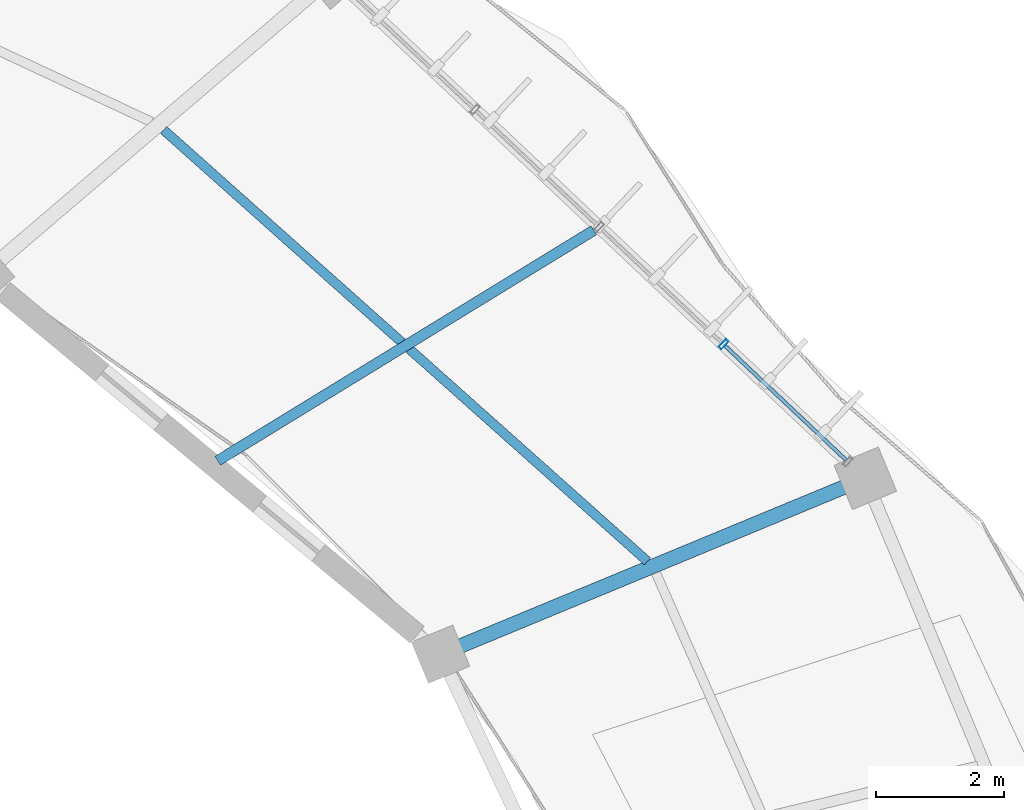
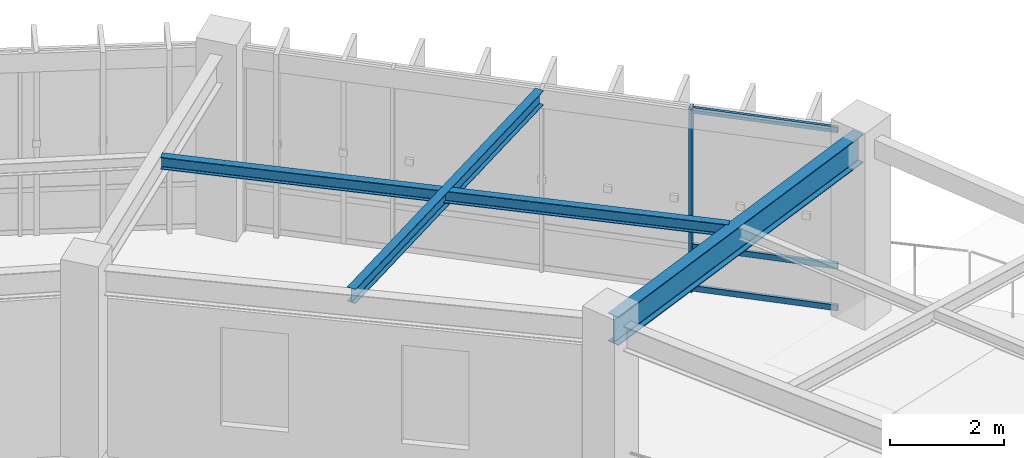
# One storey, part 106 of 152: 4 members, 3 beams, 1 element without a shape of its own.
"""IFC4 building model written with IfcOpenShell, lengths in metres."""

from ifc_helpers import new_model, si_unit, direction, frame, origin, origin_2d, place, context, subcontext, project, spatial, hollow_rectangle, i_section, extrude, material, material_profile, profile_set, type_object, element, aggregate, save


model = new_model("IFC4")

# Units and contexts
model_context = context("Model", 3, precision=1e-05, world=origin(), true_north=direction((0.0, 1.0)))
body_context = subcontext(model_context, "Body", "Model", "MODEL_VIEW")
ifc_project = project(units=[si_unit("LENGTHUNIT", "METRE"), si_unit("AREAUNIT", "SQUARE_METRE"), si_unit("VOLUMEUNIT", "CUBIC_METRE"), si_unit("PLANEANGLEUNIT", "RADIAN"), si_unit("MASSUNIT", "GRAM", prefix="KILO"), si_unit("THERMODYNAMICTEMPERATUREUNIT", "KELVIN"), si_unit("POWERUNIT", "WATT")], contexts=[model_context])

# Site, building, storey
site_placement = place(None, origin())
site = spatial("IfcSite", under=ifc_project, at=site_placement, CompositionType="ELEMENT")
building_placement = place(site_placement, origin())
building = spatial("IfcBuilding", under=site, at=building_placement, Name="Darbajah Civic Hall", CompositionType="ELEMENT")
storey_placement = place(building_placement, frame((0.0, 0.0, 5.39990234375)))
storey = spatial("IfcBuildingStorey", under=building, at=storey_placement, Name="L01", CompositionType="ELEMENT", Elevation=5.39990234375)

# Curtain wall, members
ifc_material_1 = material(Name="Anodised Bronze Aluminium and Low-E Glazing", Category="aluminium")
curtain_wall_type = type_object("IfcCurtainWallType", Name="Unitised Curtain Wall CW-19 10700x3900", PredefinedType="USERDEFINED", material=ifc_material_1)
curtain_wall_placement = place(storey_placement, origin())
curtain_wall = element("IfcCurtainWall", 1, at=curtain_wall_placement, inside=storey, type_object=curtain_wall_type, Name="L01 unitised curtain wall CW-V1O-L01-01", ObjectType="UNITISED CURTAIN WALL", PredefinedType="USERDEFINED")
ifc_material_2 = material(Name="Anodised Bronze Aluminium", Category="aluminium")
ifc_material_profile_1 = material_profile(ifc_material_2, hollow_rectangle(XDim=0.06005859375, YDim=0.159912109375, WallThickness=0.00341796875, at=origin_2d()), Name="ALU MULLION 60x160")
ifc_profile_set_1 = profile_set([ifc_material_profile_1], Name="Anodised Bronze Aluminium")
member_type_1 = type_object("IfcMemberType", Name="ALU MULLION 60x160", PredefinedType="MULLION", material=ifc_profile_set_1)
member_1_placement = place(storey_placement, frame((133.99658203125, 103.18603515625, 0.0), z_axis=(0.0, 0.0, 1.0), x_axis=(-0.727173991201, 0.686453193248, 0.0)))
member_1 = element("IfcMember", 2, at=member_1_placement, type_object=member_type_1, Name="CW-V1O-L01-01 mullion 2", PredefinedType="MULLION", context=body_context, shape_type="SweptSolid", body=[
    extrude(hollow_rectangle(XDim=0.06005859375, YDim=0.159912109375, WallThickness=0.00341796875, at=origin_2d()), origin(), (0.0, 0.0, 1.0), 3.920166015625),
])
ifc_material_profile_2 = material_profile(ifc_material_2, hollow_rectangle(XDim=0.06005859375, YDim=0.1201171875, WallThickness=0.003173828125, at=origin_2d()), Name="ALU TRANSOM 60x120")
ifc_profile_set_2 = profile_set([ifc_material_profile_2], Name="Anodised Bronze Aluminium")
member_type_2 = type_object("IfcMemberType", Name="ALU TRANSOM 60x120", PredefinedType="USERDEFINED", material=ifc_profile_set_2)
member_2_placement = place(storey_placement, frame((135.918212890625, 101.3720703125, 0.06005859375), z_axis=(-0.727176706438, 0.686450316931, 0.0), x_axis=(-0.686450316931, -0.727176706438, 0.0)))
member_2 = element("IfcMember", 3, at=member_2_placement, type_object=member_type_2, Name="CW-V1O-L01-01 transom 1.1", ObjectType="TRANSOM", PredefinedType="USERDEFINED", context=body_context, shape_type="SweptSolid", body=[
    extrude(hollow_rectangle(XDim=0.06005859375, YDim=0.1201171875, WallThickness=0.003173828125, at=origin_2d()), origin(), (0.0, 0.0, 1.0), 2.607666015625),
])
member_3_placement = place(storey_placement, frame((135.918212890625, 101.3720703125, 0.9501953125), z_axis=(-0.727176706438, 0.686450316931, 0.0), x_axis=(-0.686450316931, -0.727176706438, 0.0)))
member_3 = element("IfcMember", 4, at=member_3_placement, type_object=member_type_2, Name="CW-V1O-L01-01 transom 1.2", ObjectType="TRANSOM", PredefinedType="USERDEFINED", context=body_context, shape_type="SweptSolid", body=[
    extrude(hollow_rectangle(XDim=0.06005859375, YDim=0.1201171875, WallThickness=0.003173828125, at=origin_2d()), origin(), (0.0, 0.0, 1.0), 2.607666015625),
])
member_4_placement = place(storey_placement, frame((135.918212890625, 101.3720703125, 3.860107421875), z_axis=(-0.727176706438, 0.686450316931, 0.0), x_axis=(-0.686450316931, -0.727176706438, 0.0)))
member_4 = element("IfcMember", 5, at=member_4_placement, type_object=member_type_2, Name="CW-V1O-L01-01 transom 1.3", ObjectType="TRANSOM", PredefinedType="USERDEFINED", context=body_context, shape_type="SweptSolid", body=[
    extrude(hollow_rectangle(XDim=0.06005859375, YDim=0.1201171875, WallThickness=0.003173828125, at=origin_2d()), origin(), (0.0, 0.0, 1.0), 2.607666015625),
])
aggregate(curtain_wall, [member_1, member_2, member_3, member_4])

# Beams
ifc_material_3 = material(Name="Steel S355JR", Category="steel")
ifc_material_profile_3 = material_profile(ifc_material_3, i_section(OverallWidth=0.146484375, OverallDepth=0.256103515625, WebThickness=0.00634765625, FlangeThickness=0.010986328125, FilletRadius=0.007568359375, at=origin_2d()), Name="UB 254x146x37")
ifc_profile_set_3 = profile_set([ifc_material_profile_3], Name="Steel S355JR")
beam_type_1 = type_object("IfcBeamType", Name="UB 254x146x37", PredefinedType="JOIST", material=ifc_profile_set_3)
beam_1_placement = place(storey_placement, frame((132.805419921875, 99.788818359375, 3.7919921875), z_axis=(-0.746395859773, 0.665502231787, 0.0), x_axis=(-0.665502231787, -0.746395859773, 0.0)))
element("IfcBeam", 6, at=beam_1_placement, inside=storey, type_object=beam_type_1, Name="L01 beam SJ-254", PredefinedType="JOIST", context=body_context, shape_type="SweptSolid", body=[
    extrude(i_section(OverallWidth=0.146484375, OverallDepth=0.256103515625, WebThickness=0.00634765625, FlangeThickness=0.010986328125, FilletRadius=0.007568359375, at=origin_2d()), origin(), (0.0, 0.0, 1.0), 10.149658203125),
])
ifc_material_profile_4 = material_profile(ifc_material_3, i_section(OverallWidth=0.165771484375, OverallDepth=0.306640625, WebThickness=0.006591796875, FlangeThickness=0.01171875, FilletRadius=0.0087890625, at=origin_2d()), Name="UB 305x165x46")
ifc_profile_set_4 = profile_set([ifc_material_profile_4], Name="Steel S355JR")
beam_type_2 = type_object("IfcBeamType", Name="UB 305x165x46", PredefinedType="JOIST", material=ifc_profile_set_4)
beam_2_placement = place(storey_placement, frame((126.076171875, 101.363525390625, 3.766845703125), z_axis=(0.852634287744, 0.522508154351, 0.0), x_axis=(-0.522508154351, 0.852634287744, 0.0)))
element("IfcBeam", 7, at=beam_2_placement, inside=storey, type_object=beam_type_2, Name="L01 beam SJ-305", PredefinedType="JOIST", context=body_context, shape_type="SweptSolid", body=[
    extrude(i_section(OverallWidth=0.165771484375, OverallDepth=0.306640625, WebThickness=0.006591796875, FlangeThickness=0.01171875, FilletRadius=0.0087890625, at=origin_2d()), origin(), (0.0, 0.0, 1.0), 6.903564453125),
])
ifc_material_profile_5 = material_profile(ifc_material_3, i_section(OverallWidth=0.228271484375, OverallDepth=0.607666015625, WebThickness=0.010986328125, FlangeThickness=0.017333984375, FilletRadius=0.0126953125, at=origin_2d()), Name="UB 610x229x113")
ifc_profile_set_5 = profile_set([ifc_material_profile_5], Name="Steel S355JR")
beam_type_3 = type_object("IfcBeamType", Name="UB 610x229x113", PredefinedType="BEAM", material=ifc_profile_set_5)
beam_3_placement = place(storey_placement, frame((129.639892578125, 98.364501953125, 3.6162109375), z_axis=(0.923880311259, 0.382681552297, 0.0), x_axis=(-0.382681552297, 0.923880311259, 0.0)))
element("IfcBeam", 8, at=beam_3_placement, inside=storey, type_object=beam_type_3, Name="L01 beam SB-610", PredefinedType="BEAM", context=body_context, shape_type="SweptSolid", body=[
    extrude(i_section(OverallWidth=0.228271484375, OverallDepth=0.607666015625, WebThickness=0.010986328125, FlangeThickness=0.017333984375, FilletRadius=0.0126953125, at=origin_2d()), origin(), (0.0, 0.0, 1.0), 7.0400390625),
])

save(model, "model.ifc")
